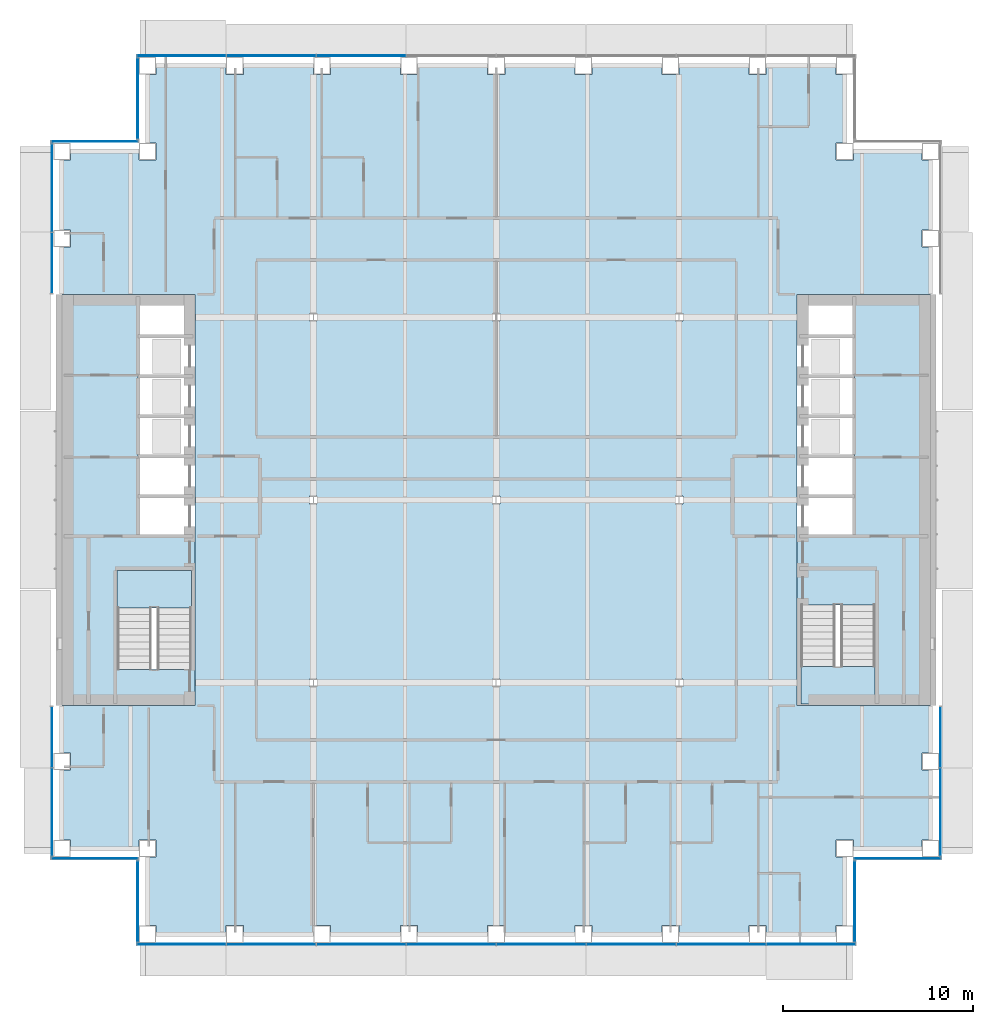
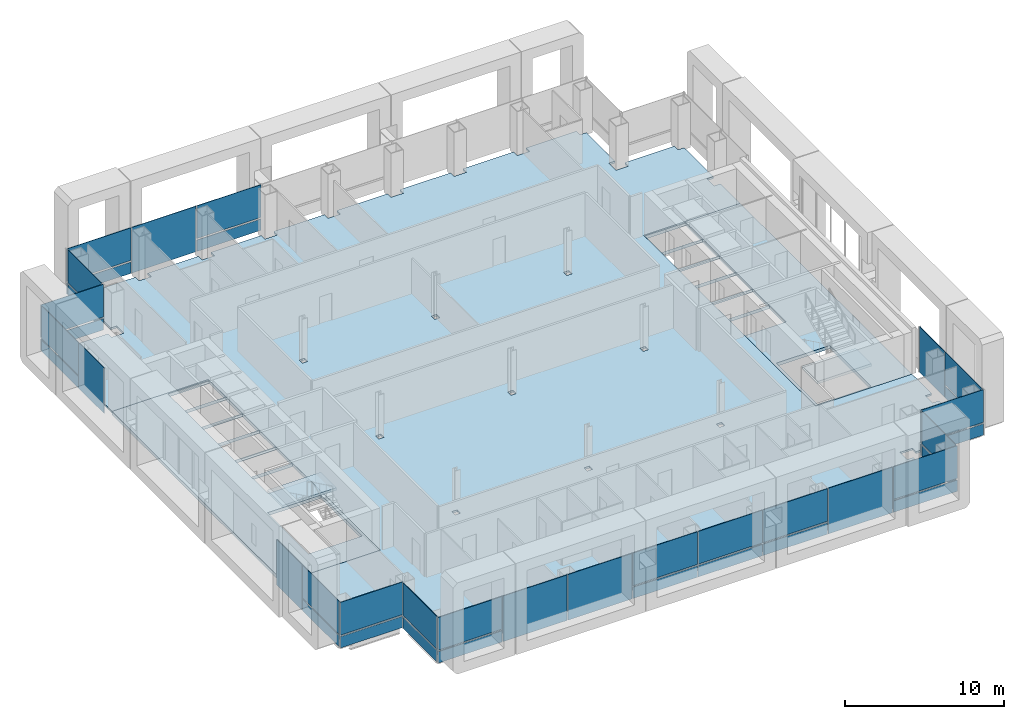
# One storey, part 9 of 19: 39 plates, 5 slabs, 13 elements without a shape of their own.
"""IFC4 building model written with IfcOpenShell, lengths in metres."""

from ifc_helpers import new_model, si_unit, direction, frame, origin, origin_2d, place, context, subcontext, project, spatial, polyline, rectangle, outline, extrude, material, layer, layer_set, type_object, element, aggregate, save


model = new_model("IFC4")

# Units and contexts
model_context = context("Model", 3, precision=1e-05, world=origin(), true_north=direction((0.0, 1.0)))
body_context = subcontext(model_context, "Body", "Model", "MODEL_VIEW")
ifc_project = project(units=[si_unit("LENGTHUNIT", "METRE"), si_unit("AREAUNIT", "SQUARE_METRE"), si_unit("VOLUMEUNIT", "CUBIC_METRE"), si_unit("PLANEANGLEUNIT", "RADIAN"), si_unit("MASSUNIT", "GRAM", prefix="KILO")], contexts=[model_context])

# Site, building, storey
site_placement = place(None, origin())
site = spatial("IfcSite", under=ifc_project, at=site_placement, CompositionType="ELEMENT")
building_placement = place(site_placement, origin())
building = spatial("IfcBuilding", under=site, at=building_placement, Name="Cobrizo Arcos Hotel Tower", CompositionType="ELEMENT")
storey_placement = place(building_placement, frame((0.0, 0.0, 103.0)))
storey = spatial("IfcBuildingStorey", under=building, at=storey_placement, Name="L25", CompositionType="ELEMENT", Elevation=103.0)

# Curtain wall, plates
ifc_material_1 = material(Name="Aluminium 6063-T6 anodised bronze", Category="aluminium")
curtain_wall_type = type_object("IfcCurtainWallType", Name="CW-A guest facade", PredefinedType="NOTDEFINED", material=ifc_material_1)
curtain_wall_1_placement = place(storey_placement, origin())
curtain_wall_1 = element("IfcCurtainWall", 1, at=curtain_wall_1_placement, inside=storey, type_object=curtain_wall_type, Name="CW-A L25 S face", PredefinedType="NOTDEFINED")
ifc_material_2 = material(Name="Glass clear laminated low-e", Category="glass")
ifc_layer_1 = layer(ifc_material_2, 0.0400390625)
ifc_layer_set_1 = layer_set([ifc_layer_1], Name="CW-A glass panel")
plate_type_1 = type_object("IfcPlateType", Name="CW-A glass panel", PredefinedType="CURTAIN_PANEL", material=ifc_layer_set_1)
plate_1_placement = place(storey_placement, frame((-16.5224609375, -23.324951171875, 0.990234375), z_axis=(0.0, 0.0, 1.0), x_axis=(1.0, 0.0, 0.0)))
plate_1 = element("IfcPlate", 2, at=plate_1_placement, type_object=plate_type_1, Name="CW-A glass panel 979", PredefinedType="CURTAIN_PANEL", context=body_context, shape_type="SweptSolid", body=[
    extrude(rectangle(XDim=4.635009765625, YDim=0.0400390625, at=origin_2d()), origin(), (0.0, 0.0, 1.0), 2.510009765625),
])
plate_2_placement = place(storey_placement, frame((-2.362548828125, -23.324951171875, 0.990234375), z_axis=(0.0, 0.0, 1.0), x_axis=(1.0, 0.0, 0.0)))
plate_2 = element("IfcPlate", 3, at=plate_2_placement, type_object=plate_type_1, Name="CW-A glass panel 982", PredefinedType="CURTAIN_PANEL", context=body_context, shape_type="SweptSolid", body=[
    extrude(rectangle(XDim=4.6650390625, YDim=0.0400390625, at=origin_2d()), origin(), (0.0, 0.0, 1.0), 2.510009765625),
])
plate_3_placement = place(storey_placement, frame((2.362548828125, -23.324951171875, 0.990234375), z_axis=(0.0, 0.0, 1.0), x_axis=(1.0, 0.0, 0.0)))
plate_3 = element("IfcPlate", 4, at=plate_3_placement, type_object=plate_type_1, Name="CW-A glass panel 983", PredefinedType="CURTAIN_PANEL", context=body_context, shape_type="SweptSolid", body=[
    extrude(rectangle(XDim=4.6650390625, YDim=0.0400390625, at=origin_2d()), origin(), (0.0, 0.0, 1.0), 2.510009765625),
])
plate_4_placement = place(storey_placement, frame((7.08740234375, -23.324951171875, 0.990234375), z_axis=(0.0, 0.0, 1.0), x_axis=(1.0, 0.0, 0.0)))
plate_4 = element("IfcPlate", 5, at=plate_4_placement, type_object=plate_type_1, Name="CW-A glass panel 984", PredefinedType="CURTAIN_PANEL", context=body_context, shape_type="SweptSolid", body=[
    extrude(rectangle(XDim=4.6650390625, YDim=0.0400390625, at=origin_2d()), origin(), (0.0, 0.0, 1.0), 2.510009765625),
])
plate_5_placement = place(storey_placement, frame((16.5224609375, -23.324951171875, 0.990234375), z_axis=(0.0, 0.0, 1.0), x_axis=(1.0, 0.0, 0.0)))
plate_5 = element("IfcPlate", 6, at=plate_5_placement, type_object=plate_type_1, Name="CW-A glass panel 986", PredefinedType="CURTAIN_PANEL", context=body_context, shape_type="SweptSolid", body=[
    extrude(rectangle(XDim=4.635009765625, YDim=0.0400390625, at=origin_2d()), origin(), (0.0, 0.0, 1.0), 2.510009765625),
])

# Curtain wall, plate
curtain_wall_2_placement = place(storey_placement, origin())
curtain_wall_2 = element("IfcCurtainWall", 7, at=curtain_wall_2_placement, inside=storey, type_object=curtain_wall_type, Name="CW-A L25 E face", PredefinedType="NOTDEFINED")
plate_6_placement = place(storey_placement, frame((18.824951171875, -21.074951171875, 0.990234375), z_axis=(0.0, 0.0, 1.0), x_axis=(0.0, 1.0, 0.0)))
plate_6 = element("IfcPlate", 8, at=plate_6_placement, type_object=plate_type_1, Name="CW-A glass panel 987", PredefinedType="CURTAIN_PANEL", context=body_context, shape_type="SweptSolid", body=[
    extrude(rectangle(XDim=4.22998046875, YDim=0.0400390625, at=origin_2d()), origin(), (0.0, 0.0, 1.0), 2.510009765625),
])

curtain_wall_3_placement = place(storey_placement, origin())
curtain_wall_3 = element("IfcCurtainWall", 9, at=curtain_wall_3_placement, inside=storey, type_object=curtain_wall_type, Name="CW-A L25 S face", PredefinedType="NOTDEFINED")
plate_7_placement = place(storey_placement, frame((21.074951171875, -18.824951171875, 0.990234375), z_axis=(0.0, 0.0, 1.0), x_axis=(1.0, 0.0, 0.0)))
plate_7 = element("IfcPlate", 10, at=plate_7_placement, type_object=plate_type_1, Name="CW-A glass panel 988", PredefinedType="CURTAIN_PANEL", context=body_context, shape_type="SweptSolid", body=[
    extrude(rectangle(XDim=4.530029296875, YDim=0.0400390625, at=origin_2d()), origin(), (0.0, 0.0, 1.0), 2.510009765625),
])

curtain_wall_4_placement = place(storey_placement, origin())
curtain_wall_4 = element("IfcCurtainWall", 11, at=curtain_wall_4_placement, inside=storey, type_object=curtain_wall_type, Name="CW-A L25 E face", PredefinedType="NOTDEFINED")
plate_8_placement = place(storey_placement, frame((23.324951171875, -16.391357421875, 0.990234375), z_axis=(0.0, 0.0, 1.0), x_axis=(0.0, 1.0, 0.0)))
plate_8 = element("IfcPlate", 12, at=plate_8_placement, type_object=plate_type_1, Name="CW-A glass panel 989", PredefinedType="CURTAIN_PANEL", context=body_context, shape_type="SweptSolid", body=[
    extrude(rectangle(XDim=4.597412109375, YDim=0.0400390625, at=origin_2d()), origin(), (0.0, 0.0, 1.0), 2.510009765625),
])

# Curtain wall, plates
curtain_wall_5_placement = place(storey_placement, origin())
curtain_wall_5 = element("IfcCurtainWall", 13, at=curtain_wall_5_placement, inside=storey, type_object=curtain_wall_type, Name="CW-A L25 N face", PredefinedType="NOTDEFINED")
plate_9_placement = place(storey_placement, frame((-7.08740234375, 23.324951171875, 0.990234375), z_axis=(0.0, 0.0, 1.0), x_axis=(-1.0, 0.0, 0.0)))
plate_9 = element("IfcPlate", 14, at=plate_9_placement, type_object=plate_type_1, Name="CW-A glass panel 1000", PredefinedType="CURTAIN_PANEL", context=body_context, shape_type="SweptSolid", body=[
    extrude(rectangle(XDim=4.6650390625, YDim=0.0400390625, at=origin_2d()), origin(), (0.0, 0.0, 1.0), 2.510009765625),
])
plate_10_placement = place(storey_placement, frame((-16.5224609375, 23.324951171875, 0.990234375), z_axis=(0.0, 0.0, 1.0), x_axis=(-1.0, 0.0, 0.0)))
plate_10 = element("IfcPlate", 15, at=plate_10_placement, type_object=plate_type_1, Name="CW-A glass panel 1002", PredefinedType="CURTAIN_PANEL", context=body_context, shape_type="SweptSolid", body=[
    extrude(rectangle(XDim=4.635009765625, YDim=0.0400390625, at=origin_2d()), origin(), (0.0, 0.0, 1.0), 2.510009765625),
])

# Curtain wall, plate
curtain_wall_6_placement = place(storey_placement, origin())
curtain_wall_6 = element("IfcCurtainWall", 16, at=curtain_wall_6_placement, inside=storey, type_object=curtain_wall_type, Name="CW-A L25 W face", PredefinedType="NOTDEFINED")
plate_11_placement = place(storey_placement, frame((-18.824951171875, 21.074951171875, 0.990234375), z_axis=(0.0, 0.0, 1.0), x_axis=(0.0, -1.0, 0.0)))
plate_11 = element("IfcPlate", 17, at=plate_11_placement, type_object=plate_type_1, Name="CW-A glass panel 1003", PredefinedType="CURTAIN_PANEL", context=body_context, shape_type="SweptSolid", body=[
    extrude(rectangle(XDim=4.22998046875, YDim=0.0400390625, at=origin_2d()), origin(), (0.0, 0.0, 1.0), 2.510009765625),
])

curtain_wall_7_placement = place(storey_placement, origin())
curtain_wall_7 = element("IfcCurtainWall", 18, at=curtain_wall_7_placement, inside=storey, type_object=curtain_wall_type, Name="CW-A L25 N face", PredefinedType="NOTDEFINED")
plate_12_placement = place(storey_placement, frame((-21.074951171875, 18.824951171875, 0.990234375), z_axis=(0.0, 0.0, 1.0), x_axis=(-1.0, 0.0, 0.0)))
plate_12 = element("IfcPlate", 19, at=plate_12_placement, type_object=plate_type_1, Name="CW-A glass panel 1004", PredefinedType="CURTAIN_PANEL", context=body_context, shape_type="SweptSolid", body=[
    extrude(rectangle(XDim=4.530029296875, YDim=0.0400390625, at=origin_2d()), origin(), (0.0, 0.0, 1.0), 2.510009765625),
])

curtain_wall_8_placement = place(storey_placement, origin())
curtain_wall_8 = element("IfcCurtainWall", 20, at=curtain_wall_8_placement, inside=storey, type_object=curtain_wall_type, Name="CW-A L25 W face", PredefinedType="NOTDEFINED")
plate_13_placement = place(storey_placement, frame((-23.324951171875, 16.391357421875, 0.990234375), z_axis=(0.0, 0.0, 1.0), x_axis=(0.0, -1.0, 0.0)))
plate_13 = element("IfcPlate", 21, at=plate_13_placement, type_object=plate_type_1, Name="CW-A glass panel 1005", PredefinedType="CURTAIN_PANEL", context=body_context, shape_type="SweptSolid", body=[
    extrude(rectangle(XDim=4.597412109375, YDim=0.0400390625, at=origin_2d()), origin(), (0.0, 0.0, 1.0), 2.510009765625),
])

curtain_wall_9_placement = place(storey_placement, origin())
curtain_wall_9 = element("IfcCurtainWall", 22, at=curtain_wall_9_placement, inside=storey, type_object=curtain_wall_type, Name="CW-A L25 W face", PredefinedType="NOTDEFINED")
plate_14_placement = place(storey_placement, frame((-23.324951171875, -16.391357421875, 0.990234375), z_axis=(0.0, 0.0, 1.0), x_axis=(0.0, -1.0, 0.0)))
plate_14 = element("IfcPlate", 23, at=plate_14_placement, type_object=plate_type_1, Name="CW-A glass panel 1008", PredefinedType="CURTAIN_PANEL", context=body_context, shape_type="SweptSolid", body=[
    extrude(rectangle(XDim=4.597412109375, YDim=0.0400390625, at=origin_2d()), origin(), (0.0, 0.0, 1.0), 2.510009765625),
])

curtain_wall_10_placement = place(storey_placement, origin())
curtain_wall_10 = element("IfcCurtainWall", 24, at=curtain_wall_10_placement, inside=storey, type_object=curtain_wall_type, Name="CW-A L25 S face", PredefinedType="NOTDEFINED")
plate_15_placement = place(storey_placement, frame((-21.074951171875, -18.824951171875, 0.990234375), z_axis=(0.0, 0.0, 1.0), x_axis=(1.0, 0.0, 0.0)))
plate_15 = element("IfcPlate", 25, at=plate_15_placement, type_object=plate_type_1, Name="CW-A glass panel 1009", PredefinedType="CURTAIN_PANEL", context=body_context, shape_type="SweptSolid", body=[
    extrude(rectangle(XDim=4.530029296875, YDim=0.0400390625, at=origin_2d()), origin(), (0.0, 0.0, 1.0), 2.510009765625),
])

curtain_wall_11_placement = place(storey_placement, origin())
curtain_wall_11 = element("IfcCurtainWall", 26, at=curtain_wall_11_placement, inside=storey, type_object=curtain_wall_type, Name="CW-A L25 W face", PredefinedType="NOTDEFINED")
plate_16_placement = place(storey_placement, frame((-18.824951171875, -21.074951171875, 0.990234375), z_axis=(0.0, 0.0, 1.0), x_axis=(0.0, -1.0, 0.0)))
plate_16 = element("IfcPlate", 27, at=plate_16_placement, type_object=plate_type_1, Name="CW-A glass panel 1010", PredefinedType="CURTAIN_PANEL", context=body_context, shape_type="SweptSolid", body=[
    extrude(rectangle(XDim=4.22998046875, YDim=0.0400390625, at=origin_2d()), origin(), (0.0, 0.0, 1.0), 2.510009765625),
])

# Plate
ifc_material_3 = material(Name="Aluminium composite panel pale metal", Category="aluminium")
ifc_layer_2 = layer(ifc_material_3, 0.0400390625)
ifc_layer_set_2 = layer_set([ifc_layer_2], Name="CW-A spandrel panel")
plate_type_2 = type_object("IfcPlateType", Name="CW-A spandrel panel", PredefinedType="CURTAIN_PANEL", material=ifc_layer_set_2)
plate_17_placement = place(storey_placement, frame((-16.5224609375, -23.324951171875, 0.0), z_axis=(0.0, 0.0, 1.0), x_axis=(1.0, 0.0, 0.0)))
plate_17 = element("IfcPlate", 28, at=plate_17_placement, type_object=plate_type_2, Name="CW-A spandrel panel 979", PredefinedType="CURTAIN_PANEL", context=body_context, shape_type="SweptSolid", body=[
    extrude(rectangle(XDim=4.635009765625, YDim=0.0400390625, at=origin_2d()), origin(), (0.0, 0.0, 1.0), 0.8701171875),
])

plate_18_placement = place(storey_placement, frame((-11.8125, -23.324951171875, 0.0), z_axis=(0.0, 0.0, 1.0), x_axis=(1.0, 0.0, 0.0)))
plate_18 = element("IfcPlate", 29, at=plate_18_placement, type_object=plate_type_2, Name="CW-A spandrel panel 980", PredefinedType="CURTAIN_PANEL", context=body_context, shape_type="SweptSolid", body=[
    extrude(rectangle(XDim=4.6650390625, YDim=0.0400390625, at=origin_2d()), origin(), (0.0, 0.0, 1.0), 3.5),
])

plate_19_placement = place(storey_placement, frame((-7.08740234375, -23.324951171875, 0.0), z_axis=(0.0, 0.0, 1.0), x_axis=(1.0, 0.0, 0.0)))
plate_19 = element("IfcPlate", 30, at=plate_19_placement, type_object=plate_type_2, Name="CW-A spandrel panel 981", PredefinedType="CURTAIN_PANEL", context=body_context, shape_type="SweptSolid", body=[
    extrude(rectangle(XDim=4.6650390625, YDim=0.0400390625, at=origin_2d()), origin(), (0.0, 0.0, 1.0), 3.5),
])

plate_20_placement = place(storey_placement, frame((-2.362548828125, -23.324951171875, 0.0), z_axis=(0.0, 0.0, 1.0), x_axis=(1.0, 0.0, 0.0)))
plate_20 = element("IfcPlate", 31, at=plate_20_placement, type_object=plate_type_2, Name="CW-A spandrel panel 982", PredefinedType="CURTAIN_PANEL", context=body_context, shape_type="SweptSolid", body=[
    extrude(rectangle(XDim=4.6650390625, YDim=0.0400390625, at=origin_2d()), origin(), (0.0, 0.0, 1.0), 0.8701171875),
])

plate_21_placement = place(storey_placement, frame((2.362548828125, -23.324951171875, 0.0), z_axis=(0.0, 0.0, 1.0), x_axis=(1.0, 0.0, 0.0)))
plate_21 = element("IfcPlate", 32, at=plate_21_placement, type_object=plate_type_2, Name="CW-A spandrel panel 983", PredefinedType="CURTAIN_PANEL", context=body_context, shape_type="SweptSolid", body=[
    extrude(rectangle(XDim=4.6650390625, YDim=0.0400390625, at=origin_2d()), origin(), (0.0, 0.0, 1.0), 0.8701171875),
])

plate_22_placement = place(storey_placement, frame((7.08740234375, -23.324951171875, 0.0), z_axis=(0.0, 0.0, 1.0), x_axis=(1.0, 0.0, 0.0)))
plate_22 = element("IfcPlate", 33, at=plate_22_placement, type_object=plate_type_2, Name="CW-A spandrel panel 984", PredefinedType="CURTAIN_PANEL", context=body_context, shape_type="SweptSolid", body=[
    extrude(rectangle(XDim=4.6650390625, YDim=0.0400390625, at=origin_2d()), origin(), (0.0, 0.0, 1.0), 0.8701171875),
])

plate_23_placement = place(storey_placement, frame((11.8125, -23.324951171875, 0.0), z_axis=(0.0, 0.0, 1.0), x_axis=(1.0, 0.0, 0.0)))
plate_23 = element("IfcPlate", 34, at=plate_23_placement, type_object=plate_type_2, Name="CW-A spandrel panel 985", PredefinedType="CURTAIN_PANEL", context=body_context, shape_type="SweptSolid", body=[
    extrude(rectangle(XDim=4.6650390625, YDim=0.0400390625, at=origin_2d()), origin(), (0.0, 0.0, 1.0), 3.5),
])

plate_24_placement = place(storey_placement, frame((16.5224609375, -23.324951171875, 0.0), z_axis=(0.0, 0.0, 1.0), x_axis=(1.0, 0.0, 0.0)))
plate_24 = element("IfcPlate", 35, at=plate_24_placement, type_object=plate_type_2, Name="CW-A spandrel panel 986", PredefinedType="CURTAIN_PANEL", context=body_context, shape_type="SweptSolid", body=[
    extrude(rectangle(XDim=4.635009765625, YDim=0.0400390625, at=origin_2d()), origin(), (0.0, 0.0, 1.0), 0.8701171875),
])

aggregate(curtain_wall_1, [plate_17, plate_1, plate_18, plate_19, plate_20, plate_2, plate_21, plate_3, plate_22, plate_4, plate_23, plate_24, plate_5])

plate_25_placement = place(storey_placement, frame((18.824951171875, -21.074951171875, 0.0), z_axis=(0.0, 0.0, 1.0), x_axis=(0.0, 1.0, 0.0)))
plate_25 = element("IfcPlate", 36, at=plate_25_placement, type_object=plate_type_2, Name="CW-A spandrel panel 987", PredefinedType="CURTAIN_PANEL", context=body_context, shape_type="SweptSolid", body=[
    extrude(rectangle(XDim=4.22998046875, YDim=0.0400390625, at=origin_2d()), origin(), (0.0, 0.0, 1.0), 0.8701171875),
])

aggregate(curtain_wall_2, [plate_25, plate_6])

plate_26_placement = place(storey_placement, frame((21.074951171875, -18.824951171875, 0.0), z_axis=(0.0, 0.0, 1.0), x_axis=(1.0, 0.0, 0.0)))
plate_26 = element("IfcPlate", 37, at=plate_26_placement, type_object=plate_type_2, Name="CW-A spandrel panel 988", PredefinedType="CURTAIN_PANEL", context=body_context, shape_type="SweptSolid", body=[
    extrude(rectangle(XDim=4.530029296875, YDim=0.0400390625, at=origin_2d()), origin(), (0.0, 0.0, 1.0), 0.8701171875),
])

aggregate(curtain_wall_3, [plate_26, plate_7])

plate_27_placement = place(storey_placement, frame((23.324951171875, -16.391357421875, 0.0), z_axis=(0.0, 0.0, 1.0), x_axis=(0.0, 1.0, 0.0)))
plate_27 = element("IfcPlate", 38, at=plate_27_placement, type_object=plate_type_2, Name="CW-A spandrel panel 989", PredefinedType="CURTAIN_PANEL", context=body_context, shape_type="SweptSolid", body=[
    extrude(rectangle(XDim=4.597412109375, YDim=0.0400390625, at=origin_2d()), origin(), (0.0, 0.0, 1.0), 0.8701171875),
])

plate_28_placement = place(storey_placement, frame((23.324951171875, -12.4462890625, 0.0), z_axis=(0.0, 0.0, 1.0), x_axis=(0.0, 1.0, 0.0)))
plate_28 = element("IfcPlate", 39, at=plate_28_placement, type_object=plate_type_2, Name="CW-A spandrel panel 990", PredefinedType="CURTAIN_PANEL", context=body_context, shape_type="SweptSolid", body=[
    extrude(rectangle(XDim=3.172607421875, YDim=0.0400390625, at=origin_2d()), origin(), (0.0, 0.0, 1.0), 3.5),
])

aggregate(curtain_wall_4, [plate_27, plate_8, plate_28])

plate_29_placement = place(storey_placement, frame((-7.08740234375, 23.324951171875, 0.0), z_axis=(0.0, 0.0, 1.0), x_axis=(-1.0, 0.0, 0.0)))
plate_29 = element("IfcPlate", 40, at=plate_29_placement, type_object=plate_type_2, Name="CW-A spandrel panel 1000", PredefinedType="CURTAIN_PANEL", context=body_context, shape_type="SweptSolid", body=[
    extrude(rectangle(XDim=4.6650390625, YDim=0.0400390625, at=origin_2d()), origin(), (0.0, 0.0, 1.0), 0.8701171875),
])

plate_30_placement = place(storey_placement, frame((-11.8125, 23.324951171875, 0.0), z_axis=(0.0, 0.0, 1.0), x_axis=(-1.0, 0.0, 0.0)))
plate_30 = element("IfcPlate", 41, at=plate_30_placement, type_object=plate_type_2, Name="CW-A spandrel panel 1001", PredefinedType="CURTAIN_PANEL", context=body_context, shape_type="SweptSolid", body=[
    extrude(rectangle(XDim=4.6650390625, YDim=0.0400390625, at=origin_2d()), origin(), (0.0, 0.0, 1.0), 3.5),
])

plate_31_placement = place(storey_placement, frame((-16.5224609375, 23.324951171875, 0.0), z_axis=(0.0, 0.0, 1.0), x_axis=(-1.0, 0.0, 0.0)))
plate_31 = element("IfcPlate", 42, at=plate_31_placement, type_object=plate_type_2, Name="CW-A spandrel panel 1002", PredefinedType="CURTAIN_PANEL", context=body_context, shape_type="SweptSolid", body=[
    extrude(rectangle(XDim=4.635009765625, YDim=0.0400390625, at=origin_2d()), origin(), (0.0, 0.0, 1.0), 0.8701171875),
])

aggregate(curtain_wall_5, [plate_29, plate_9, plate_30, plate_31, plate_10])

plate_32_placement = place(storey_placement, frame((-18.824951171875, 21.074951171875, 0.0), z_axis=(0.0, 0.0, 1.0), x_axis=(0.0, -1.0, 0.0)))
plate_32 = element("IfcPlate", 43, at=plate_32_placement, type_object=plate_type_2, Name="CW-A spandrel panel 1003", PredefinedType="CURTAIN_PANEL", context=body_context, shape_type="SweptSolid", body=[
    extrude(rectangle(XDim=4.22998046875, YDim=0.0400390625, at=origin_2d()), origin(), (0.0, 0.0, 1.0), 0.8701171875),
])

aggregate(curtain_wall_6, [plate_32, plate_11])

plate_33_placement = place(storey_placement, frame((-21.074951171875, 18.824951171875, 0.0), z_axis=(0.0, 0.0, 1.0), x_axis=(-1.0, 0.0, 0.0)))
plate_33 = element("IfcPlate", 44, at=plate_33_placement, type_object=plate_type_2, Name="CW-A spandrel panel 1004", PredefinedType="CURTAIN_PANEL", context=body_context, shape_type="SweptSolid", body=[
    extrude(rectangle(XDim=4.530029296875, YDim=0.0400390625, at=origin_2d()), origin(), (0.0, 0.0, 1.0), 0.8701171875),
])

aggregate(curtain_wall_7, [plate_33, plate_12])

plate_34_placement = place(storey_placement, frame((-23.324951171875, 16.391357421875, 0.0), z_axis=(0.0, 0.0, 1.0), x_axis=(0.0, -1.0, 0.0)))
plate_34 = element("IfcPlate", 45, at=plate_34_placement, type_object=plate_type_2, Name="CW-A spandrel panel 1005", PredefinedType="CURTAIN_PANEL", context=body_context, shape_type="SweptSolid", body=[
    extrude(rectangle(XDim=4.597412109375, YDim=0.0400390625, at=origin_2d()), origin(), (0.0, 0.0, 1.0), 0.8701171875),
])

plate_35_placement = place(storey_placement, frame((-23.324951171875, 12.4462890625, 0.0), z_axis=(0.0, 0.0, 1.0), x_axis=(0.0, -1.0, 0.0)))
plate_35 = element("IfcPlate", 46, at=plate_35_placement, type_object=plate_type_2, Name="CW-A spandrel panel 1006", PredefinedType="CURTAIN_PANEL", context=body_context, shape_type="SweptSolid", body=[
    extrude(rectangle(XDim=3.172607421875, YDim=0.0400390625, at=origin_2d()), origin(), (0.0, 0.0, 1.0), 3.5),
])

aggregate(curtain_wall_8, [plate_34, plate_13, plate_35])

plate_36_placement = place(storey_placement, frame((-23.324951171875, -12.4462890625, 0.0), z_axis=(0.0, 0.0, 1.0), x_axis=(0.0, -1.0, 0.0)))
plate_36 = element("IfcPlate", 47, at=plate_36_placement, type_object=plate_type_2, Name="CW-A spandrel panel 1007", PredefinedType="CURTAIN_PANEL", context=body_context, shape_type="SweptSolid", body=[
    extrude(rectangle(XDim=3.172607421875, YDim=0.0400390625, at=origin_2d()), origin(), (0.0, 0.0, 1.0), 3.5),
])

plate_37_placement = place(storey_placement, frame((-23.324951171875, -16.391357421875, 0.0), z_axis=(0.0, 0.0, 1.0), x_axis=(0.0, -1.0, 0.0)))
plate_37 = element("IfcPlate", 48, at=plate_37_placement, type_object=plate_type_2, Name="CW-A spandrel panel 1008", PredefinedType="CURTAIN_PANEL", context=body_context, shape_type="SweptSolid", body=[
    extrude(rectangle(XDim=4.597412109375, YDim=0.0400390625, at=origin_2d()), origin(), (0.0, 0.0, 1.0), 0.8701171875),
])

aggregate(curtain_wall_9, [plate_36, plate_37, plate_14])

plate_38_placement = place(storey_placement, frame((-21.074951171875, -18.824951171875, 0.0), z_axis=(0.0, 0.0, 1.0), x_axis=(1.0, 0.0, 0.0)))
plate_38 = element("IfcPlate", 49, at=plate_38_placement, type_object=plate_type_2, Name="CW-A spandrel panel 1009", PredefinedType="CURTAIN_PANEL", context=body_context, shape_type="SweptSolid", body=[
    extrude(rectangle(XDim=4.530029296875, YDim=0.0400390625, at=origin_2d()), origin(), (0.0, 0.0, 1.0), 0.8701171875),
])

aggregate(curtain_wall_10, [plate_38, plate_15])

plate_39_placement = place(storey_placement, frame((-18.824951171875, -21.074951171875, 0.0), z_axis=(0.0, 0.0, 1.0), x_axis=(0.0, -1.0, 0.0)))
plate_39 = element("IfcPlate", 50, at=plate_39_placement, type_object=plate_type_2, Name="CW-A spandrel panel 1010", PredefinedType="CURTAIN_PANEL", context=body_context, shape_type="SweptSolid", body=[
    extrude(rectangle(XDim=4.22998046875, YDim=0.0400390625, at=origin_2d()), origin(), (0.0, 0.0, 1.0), 0.8701171875),
])

aggregate(curtain_wall_11, [plate_39, plate_16])

# Slabs
ifc_material_4 = material(Name="Concrete f'c 35 MPa", Category="concrete")
ifc_layer_3 = layer(ifc_material_4, 0.14990234375)
ifc_layer_set_3 = layer_set([ifc_layer_3], Name="Composite floor slab 150 f'c 35")
slab_type_1 = type_object("IfcSlabType", Name="Composite floor slab 150 f'c 35", PredefinedType="FLOOR", material=ifc_layer_set_3)
slab_1_placement = place(storey_placement, frame((0.0, 0.0, -0.14990234375)))
element("IfcSlab", 51, at=slab_1_placement, inside=storey, type_object=slab_type_1, Name="Floor slab S5, L25, no. 01", PredefinedType="FLOOR", context=body_context, shape_type="SweptSolid", body=[
    extrude(outline(polyline([(-17.85009765625, -22.800048828125), (-17.85009765625, -22.35009765625), (-18.300048828125, -22.35009765625), (-18.300048828125, -18.75), (-17.85009765625, -18.75), (-17.85009765625, -17.85009765625), (-18.75, -17.85009765625), (-18.75, -18.300048828125), (-22.35009765625, -18.300048828125), (-22.35009765625, -17.85009765625), (-22.800048828125, -17.85009765625), (-22.800048828125, -14.175048828125), (-22.35009765625, -14.175048828125), (-22.35009765625, -13.27490234375), (-22.800048828125, -13.27490234375), (-22.800048828125, -10.800048828125), (-15.800048828125, -10.800048828125), (-15.800048828125, 10.800048828125), (-22.800048828125, 10.800048828125), (-22.800048828125, 13.27490234375), (-22.35009765625, 13.27490234375), (-22.35009765625, 14.175048828125), (-22.800048828125, 14.175048828125), (-22.800048828125, 17.85009765625), (-22.35009765625, 17.85009765625), (-22.35009765625, 18.300048828125), (-18.75, 18.300048828125), (-18.75, 17.85009765625), (-17.85009765625, 17.85009765625), (-17.85009765625, 18.75), (-18.300048828125, 18.75), (-18.300048828125, 22.35009765625), (-17.85009765625, 22.35009765625), (-17.85009765625, 22.800048828125), (-14.175048828125, 22.800048828125), (-14.175048828125, 22.35009765625), (-13.27490234375, 22.35009765625), (-13.27490234375, 22.800048828125), (-9.60009765625, 22.800048828125), (-9.60009765625, 22.35009765625), (-8.699951171875, 22.35009765625), (-8.699951171875, 22.800048828125), (-5.02490234375, 22.800048828125), (-5.02490234375, 22.35009765625), (-4.125, 22.35009765625), (-4.125, 22.800048828125), (-0.449951171875, 22.800048828125), (-0.449951171875, 22.35009765625), (0.449951171875, 22.35009765625), (0.449951171875, 22.800048828125), (4.125, 22.800048828125), (4.125, 22.35009765625), (5.02490234375, 22.35009765625), (5.02490234375, 22.800048828125), (8.699951171875, 22.800048828125), (8.699951171875, 22.35009765625), (9.60009765625, 22.35009765625), (9.60009765625, 22.800048828125), (13.27490234375, 22.800048828125), (13.27490234375, 22.35009765625), (14.175048828125, 22.35009765625), (14.175048828125, 22.800048828125), (17.85009765625, 22.800048828125), (17.85009765625, 22.35009765625), (18.300048828125, 22.35009765625), (18.300048828125, 18.75), (17.85009765625, 18.75), (17.85009765625, 17.85009765625), (18.75, 17.85009765625), (18.75, 18.300048828125), (22.35009765625, 18.300048828125), (22.35009765625, 17.85009765625), (22.800048828125, 17.85009765625), (22.800048828125, 14.175048828125), (22.35009765625, 14.175048828125), (22.35009765625, 13.27490234375), (22.800048828125, 13.27490234375), (22.800048828125, 10.800048828125), (15.800048828125, 10.800048828125), (15.800048828125, -10.800048828125), (22.800048828125, -10.800048828125), (22.800048828125, -13.27490234375), (22.35009765625, -13.27490234375), (22.35009765625, -14.175048828125), (22.800048828125, -14.175048828125), (22.800048828125, -17.85009765625), (22.35009765625, -17.85009765625), (22.35009765625, -18.300048828125), (18.75, -18.300048828125), (18.75, -17.85009765625), (17.85009765625, -17.85009765625), (17.85009765625, -18.75), (18.300048828125, -18.75), (18.300048828125, -22.35009765625), (17.85009765625, -22.35009765625), (17.85009765625, -22.800048828125), (14.175048828125, -22.800048828125), (14.175048828125, -22.35009765625), (13.27490234375, -22.35009765625), (13.27490234375, -22.800048828125), (9.60009765625, -22.800048828125), (9.60009765625, -22.35009765625), (8.699951171875, -22.35009765625), (8.699951171875, -22.800048828125), (5.02490234375, -22.800048828125), (5.02490234375, -22.35009765625), (4.125, -22.35009765625), (4.125, -22.800048828125), (0.449951171875, -22.800048828125), (0.449951171875, -22.35009765625), (-0.449951171875, -22.35009765625), (-0.449951171875, -22.800048828125), (-4.125, -22.800048828125), (-4.125, -22.35009765625), (-5.02490234375, -22.35009765625), (-5.02490234375, -22.800048828125), (-8.699951171875, -22.800048828125), (-8.699951171875, -22.35009765625), (-9.60009765625, -22.35009765625), (-9.60009765625, -22.800048828125), (-13.27490234375, -22.800048828125), (-13.27490234375, -22.35009765625), (-14.175048828125, -22.35009765625), (-14.175048828125, -22.800048828125), (-17.85009765625, -22.800048828125)]), holes=[polyline([(-9.400634765625, -9.79931640625), (-9.400634765625, -9.400634765625), (-9.79931640625, -9.400634765625), (-9.79931640625, -9.79931640625), (-9.400634765625, -9.79931640625)]), polyline([(-9.400634765625, -0.199462890625), (-9.400634765625, 0.199462890625), (-9.79931640625, 0.199462890625), (-9.79931640625, -0.199462890625), (-9.400634765625, -0.199462890625)]), polyline([(-9.79931640625, 9.400634765625), (-9.400634765625, 9.400634765625), (-9.400634765625, 9.79931640625), (-9.79931640625, 9.79931640625), (-9.79931640625, 9.400634765625)]), polyline([(-0.199462890625, -9.79931640625), (0.199462890625, -9.79931640625), (0.199462890625, -9.400634765625), (-0.199462890625, -9.400634765625), (-0.199462890625, -9.79931640625)]), polyline([(0.199462890625, -0.199462890625), (0.199462890625, 0.199462890625), (-0.199462890625, 0.199462890625), (-0.199462890625, -0.199462890625), (0.199462890625, -0.199462890625)]), polyline([(0.199462890625, 9.400634765625), (0.199462890625, 9.79931640625), (-0.199462890625, 9.79931640625), (-0.199462890625, 9.400634765625), (0.199462890625, 9.400634765625)]), polyline([(9.79931640625, 9.400634765625), (9.79931640625, 9.79931640625), (9.400634765625, 9.79931640625), (9.400634765625, 9.400634765625), (9.79931640625, 9.400634765625)]), polyline([(9.400634765625, -9.79931640625), (9.79931640625, -9.79931640625), (9.79931640625, -9.400634765625), (9.400634765625, -9.400634765625), (9.400634765625, -9.79931640625)]), polyline([(9.400634765625, -0.199462890625), (9.79931640625, -0.199462890625), (9.79931640625, 0.199462890625), (9.400634765625, 0.199462890625), (9.400634765625, -0.199462890625)])]), origin(), (0.0, 0.0, 1.0), 0.14990234375),
])
ifc_material_5 = material(Name="Concrete f'c 50 MPa", Category="concrete")
ifc_layer_4 = layer(ifc_material_5, 0.25)
ifc_layer_set_4 = layer_set([ifc_layer_4], Name="RC core floor slab 250 f'c 50")
slab_type_2 = type_object("IfcSlabType", Name="RC core floor slab 250 f'c 50", PredefinedType="FLOOR", material=ifc_layer_set_4)
slab_2_placement = place(storey_placement, frame((0.0, 0.0, -0.25)))
element("IfcSlab", 52, at=slab_2_placement, inside=storey, type_object=slab_type_2, Name="Core floor slab CS5, east core, L25", PredefinedType="FLOOR", context=body_context, shape_type="SweptSolid", body=[
    extrude(outline(polyline([(15.800048828125, 10.800048828125), (22.800048828125, 10.800048828125), (22.800048828125, -10.800048828125), (15.800048828125, -10.800048828125), (15.800048828125, 10.800048828125)]), holes=[polyline([(19.89794921875, -10.697998046875), (19.89794921875, -5.501953125), (16.001953125, -5.501953125), (16.001953125, -10.697998046875), (19.89794921875, -10.697998046875)]), polyline([(15.802001953125, 0.197998046875), (15.802001953125, -1.89794921875), (18.798095703125, -1.89794921875), (18.798095703125, 0.197998046875), (15.802001953125, 0.197998046875)]), polyline([(18.798095703125, 2.298095703125), (15.802001953125, 2.298095703125), (15.802001953125, 0.201904296875), (18.798095703125, 0.201904296875), (18.798095703125, 2.298095703125)]), polyline([(18.798095703125, 4.39794921875), (15.802001953125, 4.39794921875), (15.802001953125, 2.302001953125), (18.798095703125, 2.302001953125), (18.798095703125, 4.39794921875)]), polyline([(15.802001953125, 6.498046875), (15.802001953125, 4.402099609375), (18.798095703125, 4.402099609375), (18.798095703125, 6.498046875), (15.802001953125, 6.498046875)]), polyline([(18.798095703125, 8.597900390625), (15.802001953125, 8.597900390625), (15.802001953125, 6.501953125), (18.798095703125, 6.501953125), (18.798095703125, 8.597900390625)]), polyline([(18.798095703125, 10.697998046875), (15.802001953125, 10.697998046875), (15.802001953125, 8.60205078125), (18.798095703125, 8.60205078125), (18.798095703125, 10.697998046875)])]), origin(), (0.0, 0.0, 1.0), 0.25),
])
slab_3_placement = place(storey_placement, frame((0.0, 0.0, -0.25)))
element("IfcSlab", 53, at=slab_3_placement, inside=storey, type_object=slab_type_2, Name="Core floor slab CS5, west core, L25", PredefinedType="FLOOR", context=body_context, shape_type="SweptSolid", body=[
    extrude(outline(polyline([(-22.800048828125, 10.800048828125), (-15.800048828125, 10.800048828125), (-15.800048828125, -10.800048828125), (-22.800048828125, -10.800048828125), (-22.800048828125, 10.800048828125)]), holes=[polyline([(-19.89794921875, -3.701904296875), (-19.89794921875, -8.89794921875), (-16.001953125, -8.89794921875), (-16.001953125, -3.701904296875), (-19.89794921875, -3.701904296875)]), polyline([(-18.798095703125, 0.197998046875), (-18.798095703125, -1.89794921875), (-15.802001953125, -1.89794921875), (-15.802001953125, 0.197998046875), (-18.798095703125, 0.197998046875)]), polyline([(-15.802001953125, 2.298095703125), (-18.798095703125, 2.298095703125), (-18.798095703125, 0.201904296875), (-15.802001953125, 0.201904296875), (-15.802001953125, 2.298095703125)]), polyline([(-15.802001953125, 4.39794921875), (-18.798095703125, 4.39794921875), (-18.798095703125, 2.302001953125), (-15.802001953125, 2.302001953125), (-15.802001953125, 4.39794921875)]), polyline([(-18.798095703125, 6.498046875), (-18.798095703125, 4.402099609375), (-15.802001953125, 4.402099609375), (-15.802001953125, 6.498046875), (-18.798095703125, 6.498046875)]), polyline([(-15.802001953125, 8.597900390625), (-18.798095703125, 8.597900390625), (-18.798095703125, 6.501953125), (-15.802001953125, 6.501953125), (-15.802001953125, 8.597900390625)]), polyline([(-15.802001953125, 10.697998046875), (-18.798095703125, 10.697998046875), (-18.798095703125, 8.60205078125), (-15.802001953125, 8.60205078125), (-15.802001953125, 10.697998046875)])]), origin(), (0.0, 0.0, 1.0), 0.25),
])

# Stair, slab
ifc_material_6 = material(Name="Concrete f'c 40 MPa", Category="concrete")
stair_type = type_object("IfcStairType", Name="Exit stair", PredefinedType="HALF_TURN_STAIR", material=ifc_material_6)
stair_1_placement = place(storey_placement, origin())
stair_1 = element("IfcStair", 54, at=stair_1_placement, inside=storey, type_object=stair_type, Name="L25 Exit stair ST-W", PredefinedType="HALF_TURN_STAIR")
ifc_layer_5 = layer(ifc_material_6, 0.199951171875)
ifc_layer_set_5 = layer_set([ifc_layer_5], Name="Stair landing")
slab_type_3 = type_object("IfcSlabType", Name="Stair landing", PredefinedType="LANDING", material=ifc_layer_set_5)
slab_4_placement = place(storey_placement, frame((0.0, 0.0, 1.550048828125)))
slab_4 = element("IfcSlab", 55, at=slab_4_placement, type_object=slab_type_3, Name="ST-W landing 1", PredefinedType="LANDING", context=body_context, shape_type="SweptSolid", body=[
    extrude(outline(polyline([(-16.0, -5.659912109375), (-16.0, -3.699951171875), (-19.89990234375, -3.699951171875), (-19.89990234375, -5.659912109375), (-16.0, -5.659912109375)])), origin(), (0.0, 0.0, 1.0), 0.199951171875),
])
aggregate(stair_1, [slab_4])

stair_2_placement = place(storey_placement, origin())
stair_2 = element("IfcStair", 56, at=stair_2_placement, inside=storey, type_object=stair_type, Name="L25 Exit stair ST-E", PredefinedType="HALF_TURN_STAIR")
slab_5_placement = place(storey_placement, frame((0.0, 0.0, 1.550048828125)))
slab_5 = element("IfcSlab", 57, at=slab_5_placement, type_object=slab_type_3, Name="ST-E landing 1", PredefinedType="LANDING", context=body_context, shape_type="SweptSolid", body=[
    extrude(outline(polyline([(16.0, -8.739990234375), (16.0, -10.699951171875), (19.89990234375, -10.699951171875), (19.89990234375, -8.739990234375), (16.0, -8.739990234375)])), origin(), (0.0, 0.0, 1.0), 0.199951171875),
])
aggregate(stair_2, [slab_5])

save(model, "model.ifc")
